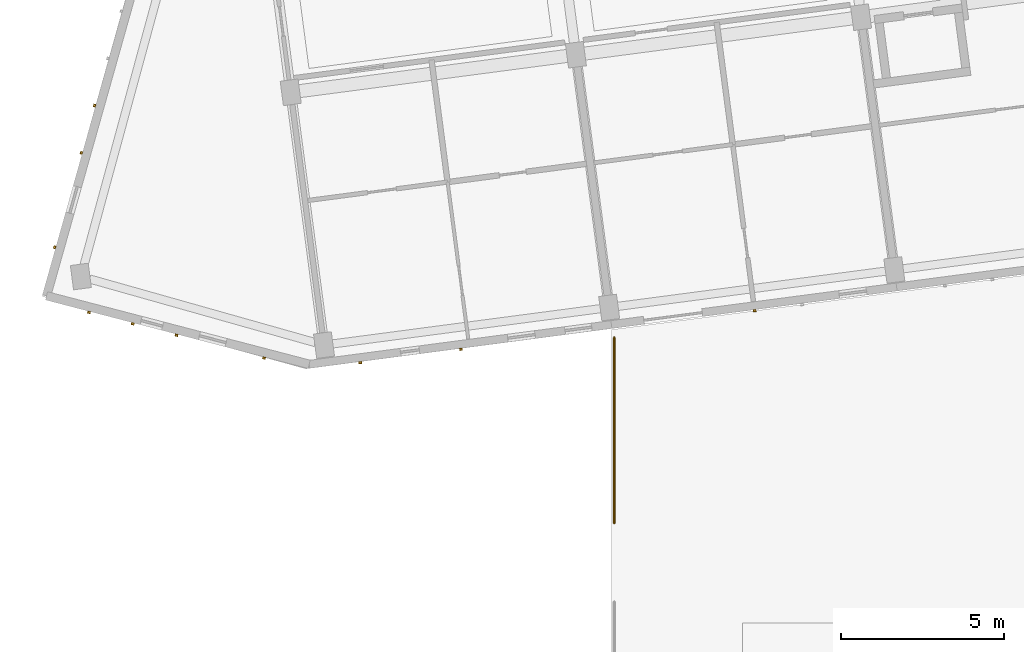
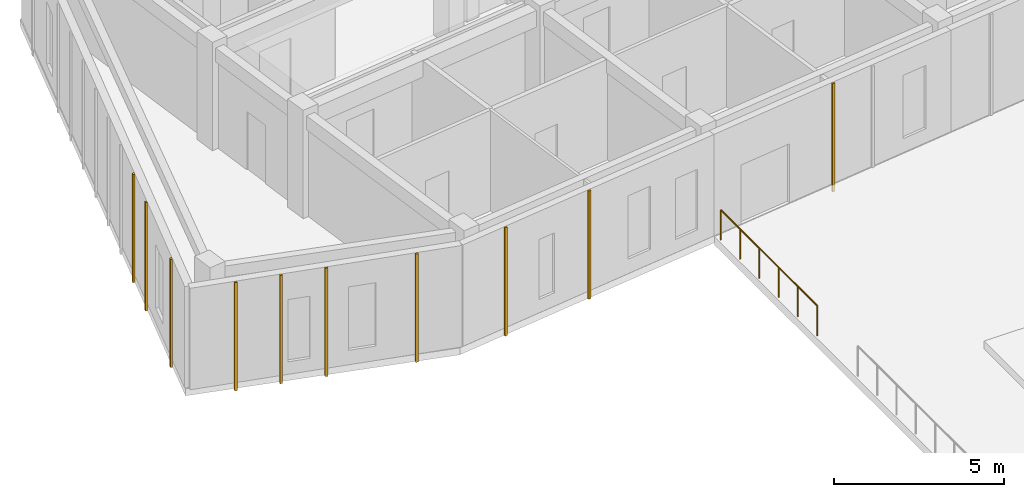
# One storey, part 122 of 150: 10 coverings, 1 railing.
"""IFC4 building model written with IfcOpenShell, lengths in metres."""

import ifcopenshell
import ifcopenshell.guid

model = None  # the IFC model being written
_history = None  # IfcOwnerHistory: only IFC2X3 demands one
_inside = {}  # id of a spatial element -> (the spatial element, [elements in it])
_under = {}  # id of a project, library or spatial element -> (it, [spatial elements below it])
_declared = {}  # id of a project -> (the project, [libraries it declares])
_typed = {}  # id of a type object -> (the type object, [elements of that type])
_made_of = {}  # id of a material, layer set ... -> (it, [elements and type objects made of it])


def new_model(schema):
    """Start an empty IFC model of exactly this schema.

    Asked for "IFC4X3", IfcOpenShell would pick the latest addendum, in which some entities
    have other attributes; the version numbers below select the first issue.
    IFC2X3 requires an IfcOwnerHistory on every rooted entity: one is made here for all.
    """
    global model, _history
    if schema == "IFC4X3":
        model = ifcopenshell.file(schema_version=(4, 3, 0, 0))
    else:
        model = ifcopenshell.file(schema=schema)
    _inside.clear()
    _under.clear()
    _declared.clear()
    _typed.clear()
    _made_of.clear()
    _history = None
    if model.schema == "IFC2X3":
        org = make("IfcOrganization", Name="unknown")
        user = make(
            "IfcPersonAndOrganization",
            ThePerson=make("IfcPerson", FamilyName="unknown"),
            TheOrganization=org,
        )
        app = make(
            "IfcApplication",
            ApplicationDeveloper=org,
            Version="unknown",
            ApplicationFullName="unknown",
            ApplicationIdentifier="unknown",
        )
        _history = make(
            "IfcOwnerHistory",
            OwningUser=user,
            OwningApplication=app,
            ChangeAction="ADDED",
            CreationDate=0,
        )
    return model


def make(cls, **values):
    """One entity of the class cls with the attributes given. An attribute that is None is left unset."""
    return model.create_entity(
        cls, **{name: value for name, value in values.items() if value is not None}
    )


def rooted(cls, **values):
    """An entity with a GlobalId (a new one), such as an element, a storey or a relation."""
    return make(cls, GlobalId=ifcopenshell.guid.new(), OwnerHistory=_history, **values)


def si_unit(unit_type, name, prefix=None):
    """IfcSIUnit, for example si_unit("LENGTHUNIT", "METRE", prefix="MILLI")."""
    return make("IfcSIUnit", UnitType=unit_type, Prefix=prefix, Name=name)


def assignment(units):
    """IfcUnitAssignment: the units of a project."""
    return None if units is None else make("IfcUnitAssignment", Units=units)


def point(xyz):
    """IfcCartesianPoint."""
    return None if xyz is None else make("IfcCartesianPoint", Coordinates=xyz)


def direction(xyz):
    """IfcDirection."""
    return None if xyz is None else make("IfcDirection", DirectionRatios=xyz)


def frame(location, z_axis=None, x_axis=None):
    """IfcAxis2Placement3D, a coordinate frame: its origin and axes. An axis left out is left unset."""
    return make(
        "IfcAxis2Placement3D",
        Location=point(location),
        Axis=direction(z_axis),
        RefDirection=direction(x_axis),
    )


def frame_2d(location, x_axis=None):
    """IfcAxis2Placement2D, a coordinate frame in the plane: its origin and x axis."""
    return make(
        "IfcAxis2Placement2D", Location=point(location), RefDirection=direction(x_axis)
    )


def origin():
    """The frame at (0, 0, 0) with its axes left unset."""
    return frame((0.0, 0.0, 0.0))


def origin_2d():
    """The frame at (0, 0) in the plane with its x axis left unset."""
    return frame_2d((0.0, 0.0))


def place(relative_to, where):
    """IfcLocalPlacement: puts the frame where relative to a parent placement (None: the world)."""
    return make(
        "IfcLocalPlacement", PlacementRelTo=relative_to, RelativePlacement=where
    )


def context(
    kind, dimensions, precision=None, world=None, true_north=None, identifier=None
):
    """IfcGeometricRepresentationContext, for example the 3D "Model" context."""
    return make(
        "IfcGeometricRepresentationContext",
        ContextIdentifier=identifier,
        ContextType=kind,
        CoordinateSpaceDimension=dimensions,
        Precision=precision,
        WorldCoordinateSystem=world,
        TrueNorth=true_north,
    )


def subcontext(parent, identifier, kind, view, scale=None):
    """IfcGeometricRepresentationSubContext, for example "Body" below "Model"."""
    return make(
        "IfcGeometricRepresentationSubContext",
        ContextIdentifier=identifier,
        ContextType=kind,
        ParentContext=parent,
        TargetScale=scale,
        TargetView=view,
    )


def project(units=None, contexts=None):
    """IfcProject with its units and contexts."""
    return rooted(
        "IfcProject",
        Name="project",
        RepresentationContexts=contexts,
        UnitsInContext=assignment(units),
    )


def spatial(cls, under=None, at=None, **own):
    """A site, building, storey or space (cls), placed at a placement, below another one or the project."""
    s = rooted(cls, ObjectPlacement=at, **own)
    if under is not None:
        _under.setdefault(under.id(), (under, []))[1].append(s)
    return s


def profile(cls, at=None, kind="AREA", **sizes):
    """A parametric profile (cls). Its sizes go by their IFC names, for example OverallWidth=200.0."""
    return make(cls, ProfileType=kind, Position=at, **sizes)


def rectangle(**sizes):
    """IfcRectangleProfileDef."""
    return profile("IfcRectangleProfileDef", **sizes)


def circle(**sizes):
    """IfcCircleProfileDef."""
    return profile("IfcCircleProfileDef", **sizes)


def extrude(swept, where, along, depth):
    """IfcExtrudedAreaSolid: the profile swept, set in the frame where, extruded along a direction by depth."""
    return make(
        "IfcExtrudedAreaSolid",
        SweptArea=swept,
        Position=where,
        ExtrudedDirection=direction(along),
        Depth=depth,
    )


def shape(context_of_items, identifier, shape_type, items):
    """IfcShapeRepresentation: the items that make up one representation, for example the "Body"."""
    return make(
        "IfcShapeRepresentation",
        ContextOfItems=context_of_items,
        RepresentationIdentifier=identifier,
        RepresentationType=shape_type,
        Items=items,
    )


def material(Name=None, Category=None):
    """IfcMaterial."""
    return make("IfcMaterial", Name=Name, Category=Category)


def layer(
    of_material, thickness, ventilated=None, Name=None, Category=None, Priority=None
):
    """IfcMaterialLayer: one layer of a wall or slab, of a material (None: an air gap)."""
    return make(
        "IfcMaterialLayer",
        Material=of_material,
        LayerThickness=thickness,
        IsVentilated=ventilated,
        Name=Name,
        Category=Category,
        Priority=Priority,
    )


def layer_set(layers, Name=None):
    """IfcMaterialLayerSet."""
    return make("IfcMaterialLayerSet", MaterialLayers=layers, LayerSetName=Name)


def made_of(thing, what):
    """Note that an element or type object is made of a material, layer set ...; save() writes the relation."""
    if what is not None:
        _made_of.setdefault(what.id(), (what, []))[1].append(thing)
    return thing


def type_object(cls, material=None, **own):
    """A type object (cls), such as IfcWallType, which elements share."""
    return made_of(rooted(cls, **own), material)


def element(
    cls,
    number,
    at=None,
    inside=None,
    cuts=None,
    type_object=None,
    material=None,
    context=None,
    identifier="Body",
    shape_type=None,
    held_by="IfcProductDefinitionShape",
    body=None,
    shapes=None,
    **own,
):
    """One element of the class cls, such as IfcWall. Its Tag is "e" and its number.

    at: its placement. inside: the storey or other place that contains it. cuts: it is an
    opening in that element (IfcRelVoidsElement). A single representation is given by context,
    identifier, shape_type and body (its items); several are given by shapes. held_by: the class
    of the entity that holds the representations. save() writes the other relations.
    """
    e = rooted(cls, Tag="e%d" % number, ObjectPlacement=at, **own)
    if body is not None:
        shapes = [shape(context, identifier, shape_type, body)]
    if shapes is not None:
        e.Representation = make(held_by, Representations=shapes)
    if inside is not None:
        _inside.setdefault(inside.id(), (inside, []))[1].append(e)
    if cuts is not None:
        rooted(
            "IfcRelVoidsElement", RelatingBuildingElement=cuts, RelatedOpeningElement=e
        )
    if type_object is not None:
        _typed.setdefault(type_object.id(), (type_object, []))[1].append(e)
    return made_of(e, material)


def aggregate(whole, parts):
    """IfcRelAggregates: a whole, such as a stair, and the parts it consists of."""
    return rooted("IfcRelAggregates", RelatingObject=whole, RelatedObjects=parts)


def save(model, path):
    """Write the relations noted so far, then the file.

    IfcRelAggregates (storeys below a building ...), IfcRelContainedInSpatialStructure (elements
    in a storey), IfcRelDefinesByType, IfcRelAssociatesMaterial and IfcRelDeclares: one each for
    every whole, place, type object, material and project.
    """
    for whole, parts in _under.values():
        aggregate(whole, parts)
    for where, things in _inside.values():
        rooted(
            "IfcRelContainedInSpatialStructure",
            RelatedElements=things,
            RelatingStructure=where,
        )
    for kind, things in _typed.values():
        rooted("IfcRelDefinesByType", RelatedObjects=things, RelatingType=kind)
    for what, things in _made_of.values():
        rooted("IfcRelAssociatesMaterial", RelatedObjects=things, RelatingMaterial=what)
    for by, libraries in _declared.values():
        rooted("IfcRelDeclares", RelatingContext=by, RelatedDefinitions=libraries)
    model.write(path)


model = new_model("IFC4")

# Units and contexts
model_context = context("Model", 3, precision=1e-05, world=origin(), true_north=direction((0.0, 1.0)))
body_context = subcontext(model_context, "Body", "Model", "MODEL_VIEW")
ifc_project = project(units=[si_unit("LENGTHUNIT", "METRE"), si_unit("AREAUNIT", "SQUARE_METRE"), si_unit("VOLUMEUNIT", "CUBIC_METRE"), si_unit("PLANEANGLEUNIT", "RADIAN"), si_unit("MASSUNIT", "GRAM", prefix="KILO")], contexts=[model_context])

# Site, building, storey
site_placement = place(None, origin())
site = spatial("IfcSite", under=ifc_project, at=site_placement, CompositionType="ELEMENT")
building_placement = place(site_placement, origin())
building = spatial("IfcBuilding", under=site, at=building_placement, Name="Kestramere Prow Commons", CompositionType="ELEMENT")
storey_placement = place(building_placement, frame((0.0, 0.0, 4.5)))
storey = spatial("IfcBuildingStorey", under=building, at=storey_placement, Name="L01", CompositionType="ELEMENT", Elevation=4.5)

# Coverings
ifc_material_1 = material(Name="Weathered Zinc-Titanium Standing-Seam Cladding")
ifc_layer = layer(ifc_material_1, 0.074951171875)
ifc_layer_set = layer_set([ifc_layer], Name="Weathered Zinc-Titanium Standing-Seam Cladding")
covering_type = type_object("IfcCoveringType", Name="COV-CLAD-SEAM", PredefinedType="CLADDING", material=ifc_layer_set)
for number, where, z_axis, x_axis, name in (
    (1, (15.390625, 71.868408203125, -0.25), (0.0, 0.0, 1.0), (-0.991444861374, -0.13052619222, 0.0), "EW-A-L01-S-0 Standing-Seam Rib 3"),
    (2, (12.308837890625, 71.462646484375, -0.25), (0.0, 0.0, 1.0), (-0.991444861374, -0.13052619222, 0.0), "EW-A-L01-S-0 Standing-Seam Rib 5"),
    (3, (24.37548828125, 73.05126953125, -0.25), (0.0, 0.0, 1.0), (-0.991444861374, -0.13052619222, 0.0), "EW-A-L01-S-1 Standing-Seam Rib 3"),
    (4, (9.367431640625, 71.602783203125, -0.25), (0.0, 0.0, 1.0), (-0.96769817096, 0.252111582281, 0.0), "EW-A-L01-PRW-S Standing-Seam Rib 1"),
    (5, (6.6884765625, 72.300537109375, -0.25), (0.0, 0.0, 1.0), (-0.96769817096, 0.252111582281, 0.0), "EW-A-L01-PRW-S Standing-Seam Rib 3"),
    (6, (5.34912109375, 72.649658203125, -0.25), (0.0, 0.0, 1.0), (-0.96769817096, 0.252111582281, 0.0), "EW-A-L01-PRW-S Standing-Seam Rib 4"),
    (7, (4.009521484375, 72.99853515625, -0.25), (0.0, 0.0, 1.0), (-0.96769817096, 0.252111582281, 0.0), "EW-A-L01-PRW-S Standing-Seam Rib 5"),
    (8, (2.96142578125, 74.9931640625, -0.25), (0.0, 0.0, 1.0), (0.271159911526, 0.962534312314, 0.0), "EW-A-L01-PRW-N Standing-Seam Rib 1"),
    (9, (3.775146484375, 77.8818359375, -0.25), (0.0, 0.0, 1.0), (0.271159911526, 0.962534312314, 0.0), "EW-A-L01-PRW-N Standing-Seam Rib 3"),
    (10, (4.18212890625, 79.326171875, -0.25), (0.0, 0.0, 1.0), (0.271159911526, 0.962534312314, 0.0), "EW-A-L01-PRW-N Standing-Seam Rib 4"),
):
    element("IfcCovering", number, at=place(storey_placement, frame(where, z_axis=z_axis, x_axis=x_axis)), inside=storey, type_object=covering_type, Name=name, PredefinedType="CLADDING", context=body_context, shape_type="SweptSolid", body=[
        extrude(rectangle(XDim=0.0849609375, YDim=0.06494140625, at=origin_2d()), origin(), (0.0, 0.0, 1.0), 3.89990234375),
    ])

# Railing
ifc_material_2 = material(Name="Powder-Coated Aluminium 6063-T6", Category="aluminium")
railing_type = type_object("IfcRailingType", Name="GRD-BALC-1100", PredefinedType="BALUSTRADE", material=ifc_material_2)
railing_placement = place(storey_placement, frame((20.080078125, 66.550048828125, 0.0)))
element("IfcRailing", 11, at=railing_placement, inside=storey, type_object=railing_type, Name="Raised Central Courtyard Perimeter Guardrail 4", PredefinedType="BALUSTRADE", context=body_context, shape_type="SweptSolid", body=[
    extrude(circle(Radius=0.02392578125, at=origin_2d()), frame((0.0, 0.0, 1.076171875), z_axis=(0.0, 1.0, 0.0), x_axis=(-1.0, 0.0, 0.0)), (0.0, 0.0, 1.0), 5.680908203125),
    extrude(circle(Radius=0.02099609375, at=origin_2d()), origin(), (0.0, 0.0, 1.0), 1.052001953125),
    extrude(circle(Radius=0.02099609375, at=origin_2d()), frame((0.0, 1.13623046875, 0.0)), (0.0, 0.0, 1.0), 1.052001953125),
    extrude(circle(Radius=0.02099609375, at=origin_2d()), frame((0.0, 2.2724609375, 0.0)), (0.0, 0.0, 1.0), 1.052001953125),
    extrude(circle(Radius=0.02099609375, at=origin_2d()), frame((0.0, 3.408447265625, 0.0)), (0.0, 0.0, 1.0), 1.052001953125),
    extrude(circle(Radius=0.02099609375, at=origin_2d()), frame((0.0, 4.544677734375, 0.0)), (0.0, 0.0, 1.0), 1.052001953125),
    extrude(circle(Radius=0.02099609375, at=origin_2d()), frame((0.0, 5.680908203125, 0.0)), (0.0, 0.0, 1.0), 1.052001953125),
])

save(model, "model.ifc")
